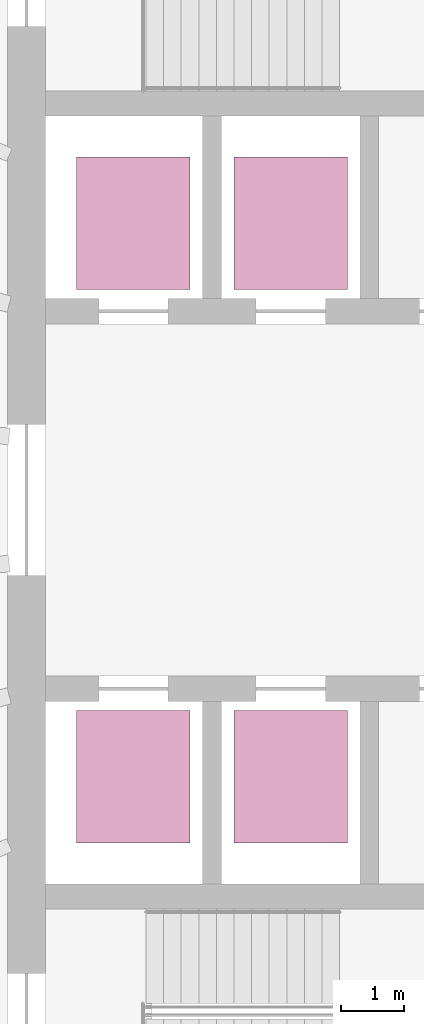
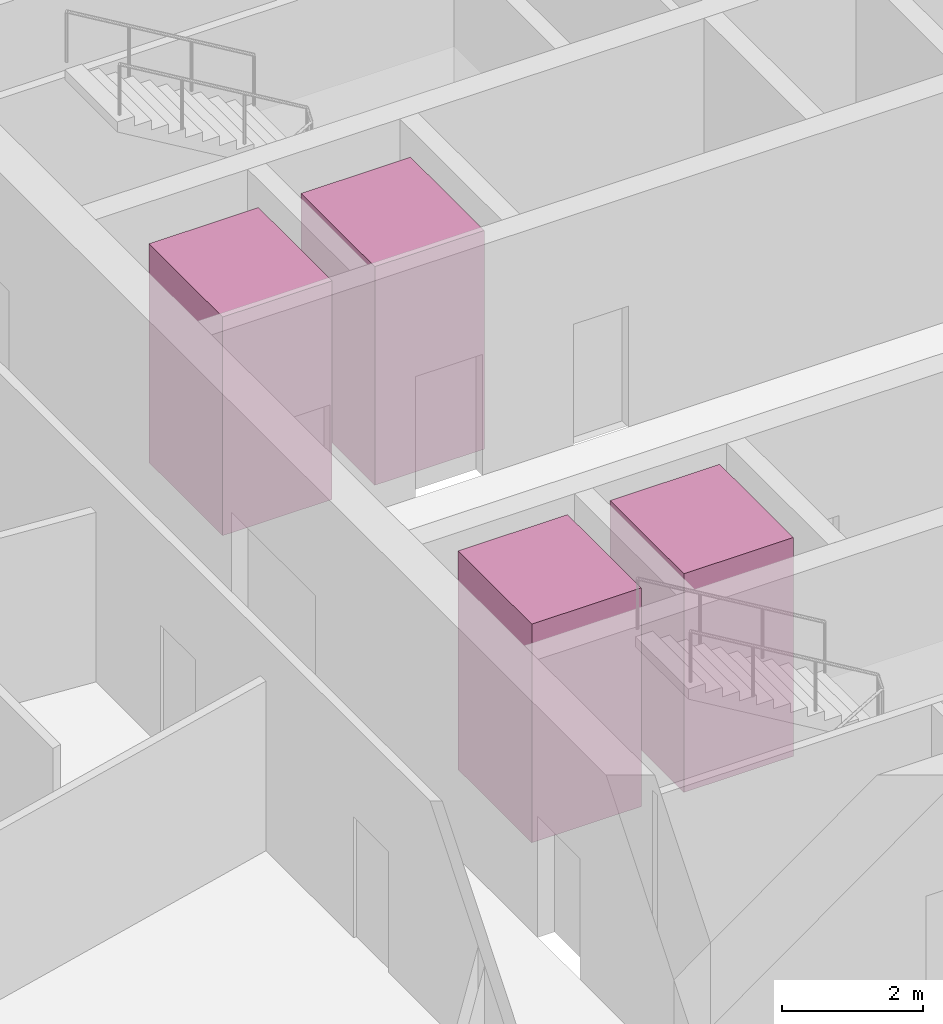
# One storey, part 10 of 10: 4 transport elements.
"""IFC4 building model written with IfcOpenShell, lengths in metres."""

from ifc_helpers import new_model, si_unit, direction, frame, origin, origin_2d, place, context, subcontext, project, spatial, rectangle, extrude, material, type_object, element, save


model = new_model("IFC4")

# Units and contexts
model_context = context("Model", 3, precision=1e-05, world=origin(), true_north=direction((0.0, 1.0)))
body_context = subcontext(model_context, "Body", "Model", "MODEL_VIEW")
ifc_project = project(units=[si_unit("LENGTHUNIT", "METRE"), si_unit("AREAUNIT", "SQUARE_METRE"), si_unit("VOLUMEUNIT", "CUBIC_METRE"), si_unit("PLANEANGLEUNIT", "RADIAN"), si_unit("MASSUNIT", "GRAM", prefix="KILO")], contexts=[model_context])

# Site, building, storey
site_placement = place(None, origin())
site = spatial("IfcSite", under=ifc_project, at=site_placement, CompositionType="ELEMENT")
building_placement = place(site_placement, origin())
building = spatial("IfcBuilding", under=site, at=building_placement, Name="Halqa Exchange Tower", CompositionType="ELEMENT")
storey_placement = place(building_placement, frame((0.0, 0.0, 308.300048828125)))
storey = spatial("IfcBuildingStorey", under=building, at=storey_placement, Name="L72", CompositionType="ELEMENT", Elevation=308.300048828125)

# Transport elements
ifc_material = material(Name="Stainless steel", Category="steel")
transport_element_type = type_object("IfcTransportElementType", Name="High-rise passenger lift 1800 x 2100", PredefinedType="ELEVATOR", material=ifc_material)
for number, where, z_axis, x_axis, name in (
    (1, (-10.0, 4.39990234375, 0.0), (0.0, 0.0, 1.0), (1.0, 0.0, 0.0), "High-rise passenger lift HR1"),
    (2, (-7.5, 4.39990234375, 0.0), (0.0, 0.0, 1.0), (1.0, 0.0, 0.0), "High-rise passenger lift HR2"),
    (3, (-10.0, -4.39990234375, 0.0), (0.0, 0.0, 1.0), (1.0, 0.0, 0.0), "High-rise passenger lift HR3"),
    (4, (-7.5, -4.39990234375, 0.0), (0.0, 0.0, 1.0), (1.0, 0.0, 0.0), "High-rise passenger lift HR4"),
):
    element("IfcTransportElement", number, at=place(storey_placement, frame(where, z_axis=z_axis, x_axis=x_axis)), inside=storey, type_object=transport_element_type, Name=name, PredefinedType="ELEVATOR", context=body_context, shape_type="SweptSolid", body=[
        extrude(rectangle(XDim=1.800048828125, YDim=2.10009765625, at=origin_2d()), origin(), (0.0, 0.0, 1.0), 3.800048828125),
    ])

save(model, "model.ifc")
